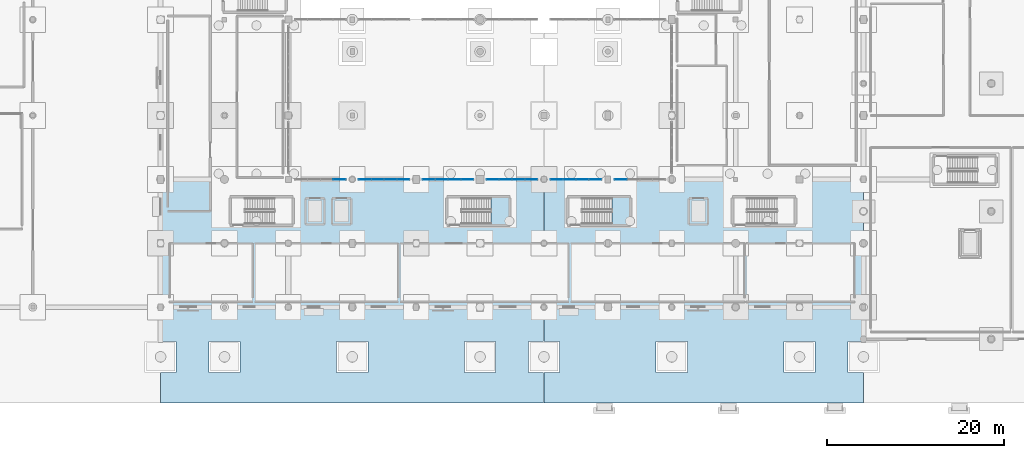
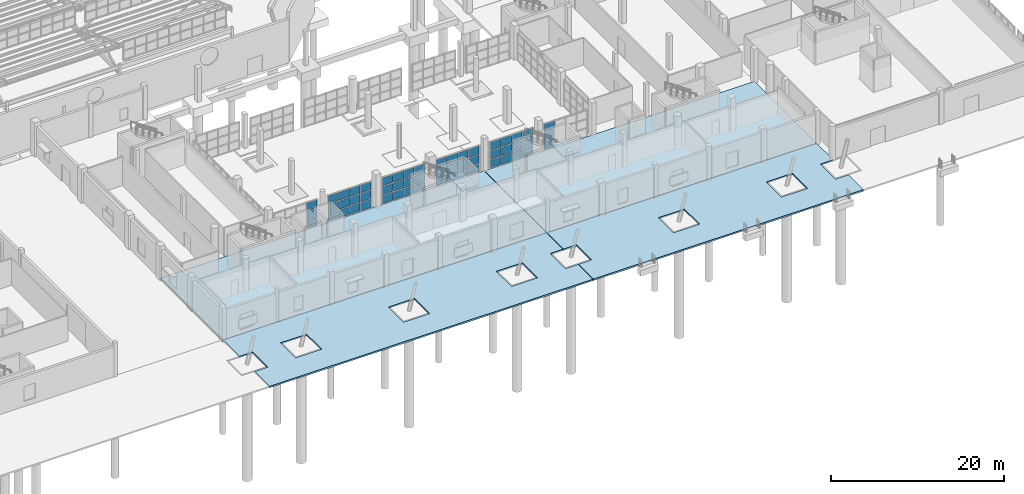
# One storey, part 181 of 285: 54 plates, 6 slabs, 8 elements without a shape of their own.
"""IFC4 building model written with IfcOpenShell, lengths in metres."""

from ifc_helpers import new_model, si_unit, direction, frame, origin, origin_2d, place, context, subcontext, project, spatial, polyline, rectangle, outline, extrude, material, layer, layer_set, type_object, element, aggregate, save


model = new_model("IFC4")

# Units and contexts
model_context = context("Model", 3, precision=1e-05, world=origin(), true_north=direction((0.0, 1.0)))
body_context = subcontext(model_context, "Body", "Model", "MODEL_VIEW")
ifc_project = project(units=[si_unit("LENGTHUNIT", "METRE"), si_unit("AREAUNIT", "SQUARE_METRE"), si_unit("VOLUMEUNIT", "CUBIC_METRE"), si_unit("PLANEANGLEUNIT", "RADIAN"), si_unit("MASSUNIT", "GRAM", prefix="KILO")], contexts=[model_context])

# Site, building, storey
site_placement = place(None, origin())
site = spatial("IfcSite", under=ifc_project, at=site_placement, CompositionType="ELEMENT")
building_placement = place(site_placement, origin())
building = spatial("IfcBuilding", under=site, at=building_placement, Name="Solanera Park Tramway Depot", CompositionType="ELEMENT")
storey_placement = place(building_placement, origin())
storey = spatial("IfcBuildingStorey", under=building, at=storey_placement, Name="L00", CompositionType="ELEMENT", Elevation=0.0)

# Curtain wall, plates
ifc_material_1 = material(Name="Bronze-anodised thermally broken aluminium curtain wall", Category="aluminium")
curtain_wall_type = type_object("IfcCurtainWallType", Name="Courtyard Cloister Unitised Curtain Wall", PredefinedType="NOTDEFINED", material=ifc_material_1)
curtain_wall_1_placement = place(storey_placement, origin())
curtain_wall_1 = element("IfcCurtainWall", 1, at=curtain_wall_1_placement, inside=storey, type_object=curtain_wall_type, Name="L00 Courtyard Cloister Unitised Curtain Wall #072", PredefinedType="NOTDEFINED")
ifc_material_2 = material(Name="Low-E laminated solar-control double glazing", Category="glass")
ifc_layer_1 = layer(ifc_material_2, 0.028076171875)
ifc_layer_set_1 = layer_set([ifc_layer_1], Name="Low-E laminated solar-control double glazing")
plate_type = type_object("IfcPlateType", Name="Curtain Wall Double Glazing Panel 28", PredefinedType="CURTAIN_PANEL", material=ifc_layer_set_1)
plate_1_placement = place(storey_placement, frame((128.15869140625, 25.199951171875, 0.11181640625), z_axis=(0.0, 0.0, 1.0), x_axis=(1.0, 0.0, 0.0)))
plate_1 = element("IfcPlate", 2, at=plate_1_placement, type_object=plate_type, Name="CW-L00-072 Glazing Panel R1.C4", PredefinedType="CURTAIN_PANEL", context=body_context, shape_type="SweptSolid", body=[
    extrude(rectangle(XDim=1.365478515625, YDim=0.028076171875, at=origin_2d()), origin(), (0.0, 0.0, 1.0), 1.119384765625),
])
plate_2_placement = place(storey_placement, frame((128.15869140625, 25.199951171875, 1.33544921875), z_axis=(0.0, 0.0, 1.0), x_axis=(1.0, 0.0, 0.0)))
plate_2 = element("IfcPlate", 3, at=plate_2_placement, type_object=plate_type, Name="CW-L00-072 Glazing Panel R2.C4", PredefinedType="CURTAIN_PANEL", context=body_context, shape_type="SweptSolid", body=[
    extrude(rectangle(XDim=1.365478515625, YDim=0.028076171875, at=origin_2d()), origin(), (0.0, 0.0, 1.0), 1.179443359375),
])
plate_3_placement = place(storey_placement, frame((128.15869140625, 25.199951171875, 2.61865234375), z_axis=(0.0, 0.0, 1.0), x_axis=(1.0, 0.0, 0.0)))
plate_3 = element("IfcPlate", 4, at=plate_3_placement, type_object=plate_type, Name="CW-L00-072 Glazing Panel R3.C4", PredefinedType="CURTAIN_PANEL", context=body_context, shape_type="SweptSolid", body=[
    extrude(rectangle(XDim=1.365478515625, YDim=0.028076171875, at=origin_2d()), origin(), (0.0, 0.0, 1.0), 1.119384765625),
])
aggregate(curtain_wall_1, [plate_1, plate_2, plate_3])

curtain_wall_2_placement = place(storey_placement, origin())
curtain_wall_2 = element("IfcCurtainWall", 5, at=curtain_wall_2_placement, inside=storey, type_object=curtain_wall_type, Name="L00 Courtyard Cloister Unitised Curtain Wall #073", PredefinedType="NOTDEFINED")
plate_4_placement = place(storey_placement, frame((131.041259765625, 25.199951171875, 0.11181640625), z_axis=(0.0, 0.0, 1.0), x_axis=(1.0, 0.0, 0.0)))
plate_4 = element("IfcPlate", 6, at=plate_4_placement, type_object=plate_type, Name="CW-L00-073 Glazing Panel R1.C1", PredefinedType="CURTAIN_PANEL", context=body_context, shape_type="SweptSolid", body=[
    extrude(rectangle(XDim=1.365478515625, YDim=0.028076171875, at=origin_2d()), origin(), (0.0, 0.0, 1.0), 1.119384765625),
])
plate_5_placement = place(storey_placement, frame((132.47509765625, 25.199951171875, 0.11181640625), z_axis=(0.0, 0.0, 1.0), x_axis=(1.0, 0.0, 0.0)))
plate_5 = element("IfcPlate", 7, at=plate_5_placement, type_object=plate_type, Name="CW-L00-073 Glazing Panel R1.C2", PredefinedType="CURTAIN_PANEL", context=body_context, shape_type="SweptSolid", body=[
    extrude(rectangle(XDim=1.39794921875, YDim=0.028076171875, at=origin_2d()), origin(), (0.0, 0.0, 1.0), 1.119384765625),
])
plate_6_placement = place(storey_placement, frame((133.925048828125, 25.199951171875, 0.11181640625), z_axis=(0.0, 0.0, 1.0), x_axis=(1.0, 0.0, 0.0)))
plate_6 = element("IfcPlate", 8, at=plate_6_placement, type_object=plate_type, Name="CW-L00-073 Glazing Panel R1.C3", PredefinedType="CURTAIN_PANEL", context=body_context, shape_type="SweptSolid", body=[
    extrude(rectangle(XDim=1.39794921875, YDim=0.028076171875, at=origin_2d()), origin(), (0.0, 0.0, 1.0), 1.119384765625),
])
plate_7_placement = place(storey_placement, frame((135.358642578125, 25.199951171875, 0.11181640625), z_axis=(0.0, 0.0, 1.0), x_axis=(1.0, 0.0, 0.0)))
plate_7 = element("IfcPlate", 9, at=plate_7_placement, type_object=plate_type, Name="CW-L00-073 Glazing Panel R1.C4", PredefinedType="CURTAIN_PANEL", context=body_context, shape_type="SweptSolid", body=[
    extrude(rectangle(XDim=1.365478515625, YDim=0.028076171875, at=origin_2d()), origin(), (0.0, 0.0, 1.0), 1.119384765625),
])
plate_8_placement = place(storey_placement, frame((131.041259765625, 25.199951171875, 1.33544921875), z_axis=(0.0, 0.0, 1.0), x_axis=(1.0, 0.0, 0.0)))
plate_8 = element("IfcPlate", 10, at=plate_8_placement, type_object=plate_type, Name="CW-L00-073 Glazing Panel R2.C1", PredefinedType="CURTAIN_PANEL", context=body_context, shape_type="SweptSolid", body=[
    extrude(rectangle(XDim=1.365478515625, YDim=0.028076171875, at=origin_2d()), origin(), (0.0, 0.0, 1.0), 1.179443359375),
])
plate_9_placement = place(storey_placement, frame((132.47509765625, 25.199951171875, 1.33544921875), z_axis=(0.0, 0.0, 1.0), x_axis=(1.0, 0.0, 0.0)))
plate_9 = element("IfcPlate", 11, at=plate_9_placement, type_object=plate_type, Name="CW-L00-073 Glazing Panel R2.C2", PredefinedType="CURTAIN_PANEL", context=body_context, shape_type="SweptSolid", body=[
    extrude(rectangle(XDim=1.39794921875, YDim=0.028076171875, at=origin_2d()), origin(), (0.0, 0.0, 1.0), 1.179443359375),
])
plate_10_placement = place(storey_placement, frame((133.925048828125, 25.199951171875, 1.33544921875), z_axis=(0.0, 0.0, 1.0), x_axis=(1.0, 0.0, 0.0)))
plate_10 = element("IfcPlate", 12, at=plate_10_placement, type_object=plate_type, Name="CW-L00-073 Glazing Panel R2.C3", PredefinedType="CURTAIN_PANEL", context=body_context, shape_type="SweptSolid", body=[
    extrude(rectangle(XDim=1.39794921875, YDim=0.028076171875, at=origin_2d()), origin(), (0.0, 0.0, 1.0), 1.179443359375),
])
plate_11_placement = place(storey_placement, frame((135.358642578125, 25.199951171875, 1.33544921875), z_axis=(0.0, 0.0, 1.0), x_axis=(1.0, 0.0, 0.0)))
plate_11 = element("IfcPlate", 13, at=plate_11_placement, type_object=plate_type, Name="CW-L00-073 Glazing Panel R2.C4", PredefinedType="CURTAIN_PANEL", context=body_context, shape_type="SweptSolid", body=[
    extrude(rectangle(XDim=1.365478515625, YDim=0.028076171875, at=origin_2d()), origin(), (0.0, 0.0, 1.0), 1.179443359375),
])
plate_12_placement = place(storey_placement, frame((131.041259765625, 25.199951171875, 2.61865234375), z_axis=(0.0, 0.0, 1.0), x_axis=(1.0, 0.0, 0.0)))
plate_12 = element("IfcPlate", 14, at=plate_12_placement, type_object=plate_type, Name="CW-L00-073 Glazing Panel R3.C1", PredefinedType="CURTAIN_PANEL", context=body_context, shape_type="SweptSolid", body=[
    extrude(rectangle(XDim=1.365478515625, YDim=0.028076171875, at=origin_2d()), origin(), (0.0, 0.0, 1.0), 1.119384765625),
])
plate_13_placement = place(storey_placement, frame((132.47509765625, 25.199951171875, 2.61865234375), z_axis=(0.0, 0.0, 1.0), x_axis=(1.0, 0.0, 0.0)))
plate_13 = element("IfcPlate", 15, at=plate_13_placement, type_object=plate_type, Name="CW-L00-073 Glazing Panel R3.C2", PredefinedType="CURTAIN_PANEL", context=body_context, shape_type="SweptSolid", body=[
    extrude(rectangle(XDim=1.39794921875, YDim=0.028076171875, at=origin_2d()), origin(), (0.0, 0.0, 1.0), 1.119384765625),
])
plate_14_placement = place(storey_placement, frame((133.925048828125, 25.199951171875, 2.61865234375), z_axis=(0.0, 0.0, 1.0), x_axis=(1.0, 0.0, 0.0)))
plate_14 = element("IfcPlate", 16, at=plate_14_placement, type_object=plate_type, Name="CW-L00-073 Glazing Panel R3.C3", PredefinedType="CURTAIN_PANEL", context=body_context, shape_type="SweptSolid", body=[
    extrude(rectangle(XDim=1.39794921875, YDim=0.028076171875, at=origin_2d()), origin(), (0.0, 0.0, 1.0), 1.119384765625),
])
plate_15_placement = place(storey_placement, frame((135.358642578125, 25.199951171875, 2.61865234375), z_axis=(0.0, 0.0, 1.0), x_axis=(1.0, 0.0, 0.0)))
plate_15 = element("IfcPlate", 17, at=plate_15_placement, type_object=plate_type, Name="CW-L00-073 Glazing Panel R3.C4", PredefinedType="CURTAIN_PANEL", context=body_context, shape_type="SweptSolid", body=[
    extrude(rectangle(XDim=1.365478515625, YDim=0.028076171875, at=origin_2d()), origin(), (0.0, 0.0, 1.0), 1.119384765625),
])
aggregate(curtain_wall_2, [plate_4, plate_5, plate_6, plate_7, plate_8, plate_9, plate_10, plate_11, plate_12, plate_13, plate_14, plate_15])

curtain_wall_3_placement = place(storey_placement, origin())
curtain_wall_3 = element("IfcCurtainWall", 18, at=curtain_wall_3_placement, inside=storey, type_object=curtain_wall_type, Name="L00 Courtyard Cloister Unitised Curtain Wall #074", PredefinedType="NOTDEFINED")
plate_16_placement = place(storey_placement, frame((138.2412109375, 25.199951171875, 0.11181640625), z_axis=(0.0, 0.0, 1.0), x_axis=(1.0, 0.0, 0.0)))
plate_16 = element("IfcPlate", 19, at=plate_16_placement, type_object=plate_type, Name="CW-L00-074 Glazing Panel R1.C1", PredefinedType="CURTAIN_PANEL", context=body_context, shape_type="SweptSolid", body=[
    extrude(rectangle(XDim=1.365478515625, YDim=0.028076171875, at=origin_2d()), origin(), (0.0, 0.0, 1.0), 1.119384765625),
])
plate_17_placement = place(storey_placement, frame((139.675048828125, 25.199951171875, 0.11181640625), z_axis=(0.0, 0.0, 1.0), x_axis=(1.0, 0.0, 0.0)))
plate_17 = element("IfcPlate", 20, at=plate_17_placement, type_object=plate_type, Name="CW-L00-074 Glazing Panel R1.C2", PredefinedType="CURTAIN_PANEL", context=body_context, shape_type="SweptSolid", body=[
    extrude(rectangle(XDim=1.39794921875, YDim=0.028076171875, at=origin_2d()), origin(), (0.0, 0.0, 1.0), 1.119384765625),
])
plate_18_placement = place(storey_placement, frame((141.125, 25.199951171875, 0.11181640625), z_axis=(0.0, 0.0, 1.0), x_axis=(1.0, 0.0, 0.0)))
plate_18 = element("IfcPlate", 21, at=plate_18_placement, type_object=plate_type, Name="CW-L00-074 Glazing Panel R1.C3", PredefinedType="CURTAIN_PANEL", context=body_context, shape_type="SweptSolid", body=[
    extrude(rectangle(XDim=1.39794921875, YDim=0.028076171875, at=origin_2d()), origin(), (0.0, 0.0, 1.0), 1.119384765625),
])
plate_19_placement = place(storey_placement, frame((142.558837890625, 25.199951171875, 0.11181640625), z_axis=(0.0, 0.0, 1.0), x_axis=(1.0, 0.0, 0.0)))
plate_19 = element("IfcPlate", 22, at=plate_19_placement, type_object=plate_type, Name="CW-L00-074 Glazing Panel R1.C4", PredefinedType="CURTAIN_PANEL", context=body_context, shape_type="SweptSolid", body=[
    extrude(rectangle(XDim=1.365478515625, YDim=0.028076171875, at=origin_2d()), origin(), (0.0, 0.0, 1.0), 1.119384765625),
])
plate_20_placement = place(storey_placement, frame((138.2412109375, 25.199951171875, 1.33544921875), z_axis=(0.0, 0.0, 1.0), x_axis=(1.0, 0.0, 0.0)))
plate_20 = element("IfcPlate", 23, at=plate_20_placement, type_object=plate_type, Name="CW-L00-074 Glazing Panel R2.C1", PredefinedType="CURTAIN_PANEL", context=body_context, shape_type="SweptSolid", body=[
    extrude(rectangle(XDim=1.365478515625, YDim=0.028076171875, at=origin_2d()), origin(), (0.0, 0.0, 1.0), 1.179443359375),
])
plate_21_placement = place(storey_placement, frame((139.675048828125, 25.199951171875, 1.33544921875), z_axis=(0.0, 0.0, 1.0), x_axis=(1.0, 0.0, 0.0)))
plate_21 = element("IfcPlate", 24, at=plate_21_placement, type_object=plate_type, Name="CW-L00-074 Glazing Panel R2.C2", PredefinedType="CURTAIN_PANEL", context=body_context, shape_type="SweptSolid", body=[
    extrude(rectangle(XDim=1.39794921875, YDim=0.028076171875, at=origin_2d()), origin(), (0.0, 0.0, 1.0), 1.179443359375),
])
plate_22_placement = place(storey_placement, frame((141.125, 25.199951171875, 1.33544921875), z_axis=(0.0, 0.0, 1.0), x_axis=(1.0, 0.0, 0.0)))
plate_22 = element("IfcPlate", 25, at=plate_22_placement, type_object=plate_type, Name="CW-L00-074 Glazing Panel R2.C3", PredefinedType="CURTAIN_PANEL", context=body_context, shape_type="SweptSolid", body=[
    extrude(rectangle(XDim=1.39794921875, YDim=0.028076171875, at=origin_2d()), origin(), (0.0, 0.0, 1.0), 1.179443359375),
])
plate_23_placement = place(storey_placement, frame((142.558837890625, 25.199951171875, 1.33544921875), z_axis=(0.0, 0.0, 1.0), x_axis=(1.0, 0.0, 0.0)))
plate_23 = element("IfcPlate", 26, at=plate_23_placement, type_object=plate_type, Name="CW-L00-074 Glazing Panel R2.C4", PredefinedType="CURTAIN_PANEL", context=body_context, shape_type="SweptSolid", body=[
    extrude(rectangle(XDim=1.365478515625, YDim=0.028076171875, at=origin_2d()), origin(), (0.0, 0.0, 1.0), 1.179443359375),
])
plate_24_placement = place(storey_placement, frame((138.2412109375, 25.199951171875, 2.61865234375), z_axis=(0.0, 0.0, 1.0), x_axis=(1.0, 0.0, 0.0)))
plate_24 = element("IfcPlate", 27, at=plate_24_placement, type_object=plate_type, Name="CW-L00-074 Glazing Panel R3.C1", PredefinedType="CURTAIN_PANEL", context=body_context, shape_type="SweptSolid", body=[
    extrude(rectangle(XDim=1.365478515625, YDim=0.028076171875, at=origin_2d()), origin(), (0.0, 0.0, 1.0), 1.119384765625),
])
plate_25_placement = place(storey_placement, frame((139.675048828125, 25.199951171875, 2.61865234375), z_axis=(0.0, 0.0, 1.0), x_axis=(1.0, 0.0, 0.0)))
plate_25 = element("IfcPlate", 28, at=plate_25_placement, type_object=plate_type, Name="CW-L00-074 Glazing Panel R3.C2", PredefinedType="CURTAIN_PANEL", context=body_context, shape_type="SweptSolid", body=[
    extrude(rectangle(XDim=1.39794921875, YDim=0.028076171875, at=origin_2d()), origin(), (0.0, 0.0, 1.0), 1.119384765625),
])
plate_26_placement = place(storey_placement, frame((141.125, 25.199951171875, 2.61865234375), z_axis=(0.0, 0.0, 1.0), x_axis=(1.0, 0.0, 0.0)))
plate_26 = element("IfcPlate", 29, at=plate_26_placement, type_object=plate_type, Name="CW-L00-074 Glazing Panel R3.C3", PredefinedType="CURTAIN_PANEL", context=body_context, shape_type="SweptSolid", body=[
    extrude(rectangle(XDim=1.39794921875, YDim=0.028076171875, at=origin_2d()), origin(), (0.0, 0.0, 1.0), 1.119384765625),
])
plate_27_placement = place(storey_placement, frame((142.558837890625, 25.199951171875, 2.61865234375), z_axis=(0.0, 0.0, 1.0), x_axis=(1.0, 0.0, 0.0)))
plate_27 = element("IfcPlate", 30, at=plate_27_placement, type_object=plate_type, Name="CW-L00-074 Glazing Panel R3.C4", PredefinedType="CURTAIN_PANEL", context=body_context, shape_type="SweptSolid", body=[
    extrude(rectangle(XDim=1.365478515625, YDim=0.028076171875, at=origin_2d()), origin(), (0.0, 0.0, 1.0), 1.119384765625),
])
aggregate(curtain_wall_3, [plate_16, plate_17, plate_18, plate_19, plate_20, plate_21, plate_22, plate_23, plate_24, plate_25, plate_26, plate_27])

curtain_wall_4_placement = place(storey_placement, origin())
curtain_wall_4 = element("IfcCurtainWall", 31, at=curtain_wall_4_placement, inside=storey, type_object=curtain_wall_type, Name="L00 Courtyard Cloister Unitised Curtain Wall #075", PredefinedType="NOTDEFINED")
plate_28_placement = place(storey_placement, frame((145.441162109375, 25.199951171875, 0.11181640625), z_axis=(0.0, 0.0, 1.0), x_axis=(1.0, 0.0, 0.0)))
plate_28 = element("IfcPlate", 32, at=plate_28_placement, type_object=plate_type, Name="CW-L00-075 Glazing Panel R1.C1", PredefinedType="CURTAIN_PANEL", context=body_context, shape_type="SweptSolid", body=[
    extrude(rectangle(XDim=1.365478515625, YDim=0.028076171875, at=origin_2d()), origin(), (0.0, 0.0, 1.0), 1.119384765625),
])
plate_29_placement = place(storey_placement, frame((146.875, 25.199951171875, 0.11181640625), z_axis=(0.0, 0.0, 1.0), x_axis=(1.0, 0.0, 0.0)))
plate_29 = element("IfcPlate", 33, at=plate_29_placement, type_object=plate_type, Name="CW-L00-075 Glazing Panel R1.C2", PredefinedType="CURTAIN_PANEL", context=body_context, shape_type="SweptSolid", body=[
    extrude(rectangle(XDim=1.39794921875, YDim=0.028076171875, at=origin_2d()), origin(), (0.0, 0.0, 1.0), 1.119384765625),
])
plate_30_placement = place(storey_placement, frame((148.324951171875, 25.199951171875, 0.11181640625), z_axis=(0.0, 0.0, 1.0), x_axis=(1.0, 0.0, 0.0)))
plate_30 = element("IfcPlate", 34, at=plate_30_placement, type_object=plate_type, Name="CW-L00-075 Glazing Panel R1.C3", PredefinedType="CURTAIN_PANEL", context=body_context, shape_type="SweptSolid", body=[
    extrude(rectangle(XDim=1.39794921875, YDim=0.028076171875, at=origin_2d()), origin(), (0.0, 0.0, 1.0), 1.119384765625),
])
plate_31_placement = place(storey_placement, frame((149.7587890625, 25.199951171875, 0.11181640625), z_axis=(0.0, 0.0, 1.0), x_axis=(1.0, 0.0, 0.0)))
plate_31 = element("IfcPlate", 35, at=plate_31_placement, type_object=plate_type, Name="CW-L00-075 Glazing Panel R1.C4", PredefinedType="CURTAIN_PANEL", context=body_context, shape_type="SweptSolid", body=[
    extrude(rectangle(XDim=1.365478515625, YDim=0.028076171875, at=origin_2d()), origin(), (0.0, 0.0, 1.0), 1.119384765625),
])
plate_32_placement = place(storey_placement, frame((145.441162109375, 25.199951171875, 1.33544921875), z_axis=(0.0, 0.0, 1.0), x_axis=(1.0, 0.0, 0.0)))
plate_32 = element("IfcPlate", 36, at=plate_32_placement, type_object=plate_type, Name="CW-L00-075 Glazing Panel R2.C1", PredefinedType="CURTAIN_PANEL", context=body_context, shape_type="SweptSolid", body=[
    extrude(rectangle(XDim=1.365478515625, YDim=0.028076171875, at=origin_2d()), origin(), (0.0, 0.0, 1.0), 1.179443359375),
])
plate_33_placement = place(storey_placement, frame((146.875, 25.199951171875, 1.33544921875), z_axis=(0.0, 0.0, 1.0), x_axis=(1.0, 0.0, 0.0)))
plate_33 = element("IfcPlate", 37, at=plate_33_placement, type_object=plate_type, Name="CW-L00-075 Glazing Panel R2.C2", PredefinedType="CURTAIN_PANEL", context=body_context, shape_type="SweptSolid", body=[
    extrude(rectangle(XDim=1.39794921875, YDim=0.028076171875, at=origin_2d()), origin(), (0.0, 0.0, 1.0), 1.179443359375),
])
plate_34_placement = place(storey_placement, frame((148.324951171875, 25.199951171875, 1.33544921875), z_axis=(0.0, 0.0, 1.0), x_axis=(1.0, 0.0, 0.0)))
plate_34 = element("IfcPlate", 38, at=plate_34_placement, type_object=plate_type, Name="CW-L00-075 Glazing Panel R2.C3", PredefinedType="CURTAIN_PANEL", context=body_context, shape_type="SweptSolid", body=[
    extrude(rectangle(XDim=1.39794921875, YDim=0.028076171875, at=origin_2d()), origin(), (0.0, 0.0, 1.0), 1.179443359375),
])
plate_35_placement = place(storey_placement, frame((149.7587890625, 25.199951171875, 1.33544921875), z_axis=(0.0, 0.0, 1.0), x_axis=(1.0, 0.0, 0.0)))
plate_35 = element("IfcPlate", 39, at=plate_35_placement, type_object=plate_type, Name="CW-L00-075 Glazing Panel R2.C4", PredefinedType="CURTAIN_PANEL", context=body_context, shape_type="SweptSolid", body=[
    extrude(rectangle(XDim=1.365478515625, YDim=0.028076171875, at=origin_2d()), origin(), (0.0, 0.0, 1.0), 1.179443359375),
])
plate_36_placement = place(storey_placement, frame((145.441162109375, 25.199951171875, 2.61865234375), z_axis=(0.0, 0.0, 1.0), x_axis=(1.0, 0.0, 0.0)))
plate_36 = element("IfcPlate", 40, at=plate_36_placement, type_object=plate_type, Name="CW-L00-075 Glazing Panel R3.C1", PredefinedType="CURTAIN_PANEL", context=body_context, shape_type="SweptSolid", body=[
    extrude(rectangle(XDim=1.365478515625, YDim=0.028076171875, at=origin_2d()), origin(), (0.0, 0.0, 1.0), 1.119384765625),
])
plate_37_placement = place(storey_placement, frame((146.875, 25.199951171875, 2.61865234375), z_axis=(0.0, 0.0, 1.0), x_axis=(1.0, 0.0, 0.0)))
plate_37 = element("IfcPlate", 41, at=plate_37_placement, type_object=plate_type, Name="CW-L00-075 Glazing Panel R3.C2", PredefinedType="CURTAIN_PANEL", context=body_context, shape_type="SweptSolid", body=[
    extrude(rectangle(XDim=1.39794921875, YDim=0.028076171875, at=origin_2d()), origin(), (0.0, 0.0, 1.0), 1.119384765625),
])
plate_38_placement = place(storey_placement, frame((148.324951171875, 25.199951171875, 2.61865234375), z_axis=(0.0, 0.0, 1.0), x_axis=(1.0, 0.0, 0.0)))
plate_38 = element("IfcPlate", 42, at=plate_38_placement, type_object=plate_type, Name="CW-L00-075 Glazing Panel R3.C3", PredefinedType="CURTAIN_PANEL", context=body_context, shape_type="SweptSolid", body=[
    extrude(rectangle(XDim=1.39794921875, YDim=0.028076171875, at=origin_2d()), origin(), (0.0, 0.0, 1.0), 1.119384765625),
])
plate_39_placement = place(storey_placement, frame((149.7587890625, 25.199951171875, 2.61865234375), z_axis=(0.0, 0.0, 1.0), x_axis=(1.0, 0.0, 0.0)))
plate_39 = element("IfcPlate", 43, at=plate_39_placement, type_object=plate_type, Name="CW-L00-075 Glazing Panel R3.C4", PredefinedType="CURTAIN_PANEL", context=body_context, shape_type="SweptSolid", body=[
    extrude(rectangle(XDim=1.365478515625, YDim=0.028076171875, at=origin_2d()), origin(), (0.0, 0.0, 1.0), 1.119384765625),
])
aggregate(curtain_wall_4, [plate_28, plate_29, plate_30, plate_31, plate_32, plate_33, plate_34, plate_35, plate_36, plate_37, plate_38, plate_39])

curtain_wall_5_placement = place(storey_placement, origin())
curtain_wall_5 = element("IfcCurtainWall", 44, at=curtain_wall_5_placement, inside=storey, type_object=curtain_wall_type, Name="L00 Courtyard Cloister Unitised Curtain Wall #076", PredefinedType="NOTDEFINED")
plate_40_placement = place(storey_placement, frame((152.641357421875, 25.199951171875, 0.11181640625), z_axis=(0.0, 0.0, 1.0), x_axis=(1.0, 0.0, 0.0)))
plate_40 = element("IfcPlate", 45, at=plate_40_placement, type_object=plate_type, Name="CW-L00-076 Glazing Panel R1.C1", PredefinedType="CURTAIN_PANEL", context=body_context, shape_type="SweptSolid", body=[
    extrude(rectangle(XDim=1.365478515625, YDim=0.028076171875, at=origin_2d()), origin(), (0.0, 0.0, 1.0), 1.119384765625),
])
plate_41_placement = place(storey_placement, frame((154.074951171875, 25.199951171875, 0.11181640625), z_axis=(0.0, 0.0, 1.0), x_axis=(1.0, 0.0, 0.0)))
plate_41 = element("IfcPlate", 46, at=plate_41_placement, type_object=plate_type, Name="CW-L00-076 Glazing Panel R1.C2", PredefinedType="CURTAIN_PANEL", context=body_context, shape_type="SweptSolid", body=[
    extrude(rectangle(XDim=1.39794921875, YDim=0.028076171875, at=origin_2d()), origin(), (0.0, 0.0, 1.0), 1.119384765625),
])
plate_42_placement = place(storey_placement, frame((155.52490234375, 25.199951171875, 0.11181640625), z_axis=(0.0, 0.0, 1.0), x_axis=(1.0, 0.0, 0.0)))
plate_42 = element("IfcPlate", 47, at=plate_42_placement, type_object=plate_type, Name="CW-L00-076 Glazing Panel R1.C3", PredefinedType="CURTAIN_PANEL", context=body_context, shape_type="SweptSolid", body=[
    extrude(rectangle(XDim=1.39794921875, YDim=0.028076171875, at=origin_2d()), origin(), (0.0, 0.0, 1.0), 1.119384765625),
])
plate_43_placement = place(storey_placement, frame((156.958740234375, 25.199951171875, 0.11181640625), z_axis=(0.0, 0.0, 1.0), x_axis=(1.0, 0.0, 0.0)))
plate_43 = element("IfcPlate", 48, at=plate_43_placement, type_object=plate_type, Name="CW-L00-076 Glazing Panel R1.C4", PredefinedType="CURTAIN_PANEL", context=body_context, shape_type="SweptSolid", body=[
    extrude(rectangle(XDim=1.365478515625, YDim=0.028076171875, at=origin_2d()), origin(), (0.0, 0.0, 1.0), 1.119384765625),
])
plate_44_placement = place(storey_placement, frame((152.641357421875, 25.199951171875, 1.33544921875), z_axis=(0.0, 0.0, 1.0), x_axis=(1.0, 0.0, 0.0)))
plate_44 = element("IfcPlate", 49, at=plate_44_placement, type_object=plate_type, Name="CW-L00-076 Glazing Panel R2.C1", PredefinedType="CURTAIN_PANEL", context=body_context, shape_type="SweptSolid", body=[
    extrude(rectangle(XDim=1.365478515625, YDim=0.028076171875, at=origin_2d()), origin(), (0.0, 0.0, 1.0), 1.179443359375),
])
plate_45_placement = place(storey_placement, frame((154.074951171875, 25.199951171875, 1.33544921875), z_axis=(0.0, 0.0, 1.0), x_axis=(1.0, 0.0, 0.0)))
plate_45 = element("IfcPlate", 50, at=plate_45_placement, type_object=plate_type, Name="CW-L00-076 Glazing Panel R2.C2", PredefinedType="CURTAIN_PANEL", context=body_context, shape_type="SweptSolid", body=[
    extrude(rectangle(XDim=1.39794921875, YDim=0.028076171875, at=origin_2d()), origin(), (0.0, 0.0, 1.0), 1.179443359375),
])
plate_46_placement = place(storey_placement, frame((155.52490234375, 25.199951171875, 1.33544921875), z_axis=(0.0, 0.0, 1.0), x_axis=(1.0, 0.0, 0.0)))
plate_46 = element("IfcPlate", 51, at=plate_46_placement, type_object=plate_type, Name="CW-L00-076 Glazing Panel R2.C3", PredefinedType="CURTAIN_PANEL", context=body_context, shape_type="SweptSolid", body=[
    extrude(rectangle(XDim=1.39794921875, YDim=0.028076171875, at=origin_2d()), origin(), (0.0, 0.0, 1.0), 1.179443359375),
])
plate_47_placement = place(storey_placement, frame((156.958740234375, 25.199951171875, 1.33544921875), z_axis=(0.0, 0.0, 1.0), x_axis=(1.0, 0.0, 0.0)))
plate_47 = element("IfcPlate", 52, at=plate_47_placement, type_object=plate_type, Name="CW-L00-076 Glazing Panel R2.C4", PredefinedType="CURTAIN_PANEL", context=body_context, shape_type="SweptSolid", body=[
    extrude(rectangle(XDim=1.365478515625, YDim=0.028076171875, at=origin_2d()), origin(), (0.0, 0.0, 1.0), 1.179443359375),
])
plate_48_placement = place(storey_placement, frame((152.641357421875, 25.199951171875, 2.61865234375), z_axis=(0.0, 0.0, 1.0), x_axis=(1.0, 0.0, 0.0)))
plate_48 = element("IfcPlate", 53, at=plate_48_placement, type_object=plate_type, Name="CW-L00-076 Glazing Panel R3.C1", PredefinedType="CURTAIN_PANEL", context=body_context, shape_type="SweptSolid", body=[
    extrude(rectangle(XDim=1.365478515625, YDim=0.028076171875, at=origin_2d()), origin(), (0.0, 0.0, 1.0), 1.119384765625),
])
plate_49_placement = place(storey_placement, frame((154.074951171875, 25.199951171875, 2.61865234375), z_axis=(0.0, 0.0, 1.0), x_axis=(1.0, 0.0, 0.0)))
plate_49 = element("IfcPlate", 54, at=plate_49_placement, type_object=plate_type, Name="CW-L00-076 Glazing Panel R3.C2", PredefinedType="CURTAIN_PANEL", context=body_context, shape_type="SweptSolid", body=[
    extrude(rectangle(XDim=1.39794921875, YDim=0.028076171875, at=origin_2d()), origin(), (0.0, 0.0, 1.0), 1.119384765625),
])
plate_50_placement = place(storey_placement, frame((155.52490234375, 25.199951171875, 2.61865234375), z_axis=(0.0, 0.0, 1.0), x_axis=(1.0, 0.0, 0.0)))
plate_50 = element("IfcPlate", 55, at=plate_50_placement, type_object=plate_type, Name="CW-L00-076 Glazing Panel R3.C3", PredefinedType="CURTAIN_PANEL", context=body_context, shape_type="SweptSolid", body=[
    extrude(rectangle(XDim=1.39794921875, YDim=0.028076171875, at=origin_2d()), origin(), (0.0, 0.0, 1.0), 1.119384765625),
])
plate_51_placement = place(storey_placement, frame((156.958740234375, 25.199951171875, 2.61865234375), z_axis=(0.0, 0.0, 1.0), x_axis=(1.0, 0.0, 0.0)))
plate_51 = element("IfcPlate", 56, at=plate_51_placement, type_object=plate_type, Name="CW-L00-076 Glazing Panel R3.C4", PredefinedType="CURTAIN_PANEL", context=body_context, shape_type="SweptSolid", body=[
    extrude(rectangle(XDim=1.365478515625, YDim=0.028076171875, at=origin_2d()), origin(), (0.0, 0.0, 1.0), 1.119384765625),
])
aggregate(curtain_wall_5, [plate_40, plate_41, plate_42, plate_43, plate_44, plate_45, plate_46, plate_47, plate_48, plate_49, plate_50, plate_51])

curtain_wall_6_placement = place(storey_placement, origin())
curtain_wall_6 = element("IfcCurtainWall", 57, at=curtain_wall_6_placement, inside=storey, type_object=curtain_wall_type, Name="L00 Courtyard Cloister Unitised Curtain Wall #077", PredefinedType="NOTDEFINED")
plate_52_placement = place(storey_placement, frame((159.84130859375, 25.199951171875, 0.11181640625), z_axis=(0.0, 0.0, 1.0), x_axis=(1.0, 0.0, 0.0)))
plate_52 = element("IfcPlate", 58, at=plate_52_placement, type_object=plate_type, Name="CW-L00-077 Glazing Panel R1.C1", PredefinedType="CURTAIN_PANEL", context=body_context, shape_type="SweptSolid", body=[
    extrude(rectangle(XDim=1.365478515625, YDim=0.028076171875, at=origin_2d()), origin(), (0.0, 0.0, 1.0), 1.119384765625),
])
plate_53_placement = place(storey_placement, frame((159.84130859375, 25.199951171875, 1.33544921875), z_axis=(0.0, 0.0, 1.0), x_axis=(1.0, 0.0, 0.0)))
plate_53 = element("IfcPlate", 59, at=plate_53_placement, type_object=plate_type, Name="CW-L00-077 Glazing Panel R2.C1", PredefinedType="CURTAIN_PANEL", context=body_context, shape_type="SweptSolid", body=[
    extrude(rectangle(XDim=1.365478515625, YDim=0.028076171875, at=origin_2d()), origin(), (0.0, 0.0, 1.0), 1.179443359375),
])
plate_54_placement = place(storey_placement, frame((159.84130859375, 25.199951171875, 2.61865234375), z_axis=(0.0, 0.0, 1.0), x_axis=(1.0, 0.0, 0.0)))
plate_54 = element("IfcPlate", 60, at=plate_54_placement, type_object=plate_type, Name="CW-L00-077 Glazing Panel R3.C1", PredefinedType="CURTAIN_PANEL", context=body_context, shape_type="SweptSolid", body=[
    extrude(rectangle(XDim=1.365478515625, YDim=0.028076171875, at=origin_2d()), origin(), (0.0, 0.0, 1.0), 1.119384765625),
])
aggregate(curtain_wall_6, [plate_52, plate_53, plate_54])

# Slabs
ifc_material_3 = material(Name="Concrete N40 (C40/50)", Category="concrete")
ifc_layer_2 = layer(ifc_material_3, 0.35009765625)
ifc_layer_set_2 = layer_set([ifc_layer_2], Name="Concrete N40 (C40/50)")
slab_type_1 = type_object("IfcSlabType", Name="Slab Base 350", PredefinedType="BASESLAB", material=ifc_layer_set_2)
slab_1_placement = place(storey_placement, frame((0.0, 0.0, -0.35009765625)))
element("IfcSlab", 61, at=slab_1_placement, inside=storey, type_object=slab_type_1, Name="L00 Structural Slab SL-L00-V4SW", PredefinedType="BASESLAB", context=body_context, shape_type="SweptSolid", body=[
    extrude(outline(polyline([(151.14990234375, 10.800048828125), (151.14990234375, 25.199951171875), (108.0, 25.199951171875), (108.0, 10.800048828125), (151.14990234375, 10.800048828125)])), origin(), (0.0, 0.0, 1.0), 0.35009765625),
])
slab_2_placement = place(storey_placement, frame((0.0, 0.0, -0.35009765625)))
element("IfcSlab", 62, at=slab_2_placement, inside=storey, type_object=slab_type_1, Name="L00 Structural Slab SL-L00-V4SE", PredefinedType="BASESLAB", context=body_context, shape_type="SweptSolid", body=[
    extrude(outline(polyline([(187.199951171875, 10.800048828125), (187.199951171875, 25.199951171875), (151.199951171875, 25.199951171875), (151.199951171875, 10.800048828125), (187.199951171875, 10.800048828125)])), origin(), (0.0, 0.0, 1.0), 0.35009765625),
])
ifc_material_4 = material(Name="Concrete N40 (C40/50)", Category="concrete")
ifc_layer_3 = layer(ifc_material_4, 0.219970703125)
ifc_layer_set_3 = layer_set([ifc_layer_3], Name="Concrete N40 (C40/50)")
slab_type_2 = type_object("IfcSlabType", Name="Slab Ext 220", PredefinedType="FLOOR", material=ifc_layer_set_3)
slab_3_placement = place(storey_placement, frame((0.0, 0.0, -0.219970703125)))
element("IfcSlab", 63, at=slab_3_placement, inside=storey, type_object=slab_type_2, Name="Southern Boulevard Entrance Portales West", PredefinedType="FLOOR", context=body_context, shape_type="SweptSolid", body=[
    extrude(outline(polyline([(149.449951171875, 6.957275390625), (149.449951171875, 3.457275390625), (151.14990234375, 3.457275390625), (151.14990234375, 0.0), (108.0, 0.0), (108.0, 3.457275390625), (109.75, 3.457275390625), (109.75, 6.957275390625), (108.0, 6.957275390625), (108.0, 10.800048828125), (151.14990234375, 10.800048828125), (151.14990234375, 6.957275390625), (149.449951171875, 6.957275390625)]), holes=[polyline([(116.949951171875, 6.957275390625), (113.449951171875, 6.957275390625), (113.449951171875, 3.457275390625), (116.949951171875, 3.457275390625), (116.949951171875, 6.957275390625)]), polyline([(131.35009765625, 3.457275390625), (131.35009765625, 6.957275390625), (127.85009765625, 6.957275390625), (127.85009765625, 3.457275390625), (131.35009765625, 3.457275390625)]), polyline([(142.25, 3.457275390625), (145.75, 3.457275390625), (145.75, 6.957275390625), (142.25, 6.957275390625), (142.25, 3.457275390625)])]), origin(), (0.0, 0.0, 1.0), 0.219970703125),
])
slab_4_placement = place(storey_placement, frame((0.0, 0.0, -0.219970703125)))
element("IfcSlab", 64, at=slab_4_placement, inside=storey, type_object=slab_type_2, Name="Southern Boulevard Entrance Portales East", PredefinedType="FLOOR", context=body_context, shape_type="SweptSolid", body=[
    extrude(outline(polyline([(151.199951171875, 0.0), (151.199951171875, 3.457275390625), (152.949951171875, 3.457275390625), (152.949951171875, 6.957275390625), (151.199951171875, 6.957275390625), (151.199951171875, 10.800048828125), (187.199951171875, 10.800048828125), (187.199951171875, 6.957275390625), (185.449951171875, 6.957275390625), (185.449951171875, 3.457275390625), (187.199951171875, 3.457275390625), (187.199951171875, 0.0), (151.199951171875, 0.0)]), holes=[polyline([(163.85009765625, 3.457275390625), (167.35009765625, 3.457275390625), (167.35009765625, 6.957275390625), (163.85009765625, 6.957275390625), (163.85009765625, 3.457275390625)]), polyline([(178.25, 6.957275390625), (178.25, 3.457275390625), (181.75, 3.457275390625), (181.75, 6.957275390625), (178.25, 6.957275390625)])]), origin(), (0.0, 0.0, 1.0), 0.219970703125),
])

# Stair, slab
ifc_material_5 = material(Name="Concrete N40 (C40/50)", Category="concrete")
stair_type = type_object("IfcStairType", Name="Stair Half-Turn Dogleg 4800", PredefinedType="HALF_TURN_STAIR", material=ifc_material_5)
stair_1_placement = place(storey_placement, origin())
stair_1 = element("IfcStair", 65, at=stair_1_placement, inside=storey, type_object=stair_type, Name="ST-02 L00 Half-Turn Stair", PredefinedType="HALF_TURN_STAIR")
ifc_material_6 = material(Name="Concrete N40 (C40/50)", Category="concrete")
ifc_layer_4 = layer(ifc_material_6, 0.199951171875)
ifc_layer_set_4 = layer_set([ifc_layer_4], Name="Concrete N40 (C40/50)")
slab_type_3 = type_object("IfcSlabType", Name="Slab Stair Landing 200", PredefinedType="LANDING", material=ifc_layer_set_4)
slab_5_placement = place(storey_placement, frame((0.0, 0.0, 2.199951171875)))
slab_5 = element("IfcSlab", 66, at=slab_5_placement, type_object=slab_type_3, Name="ST-02 L00 Half-Landing 1", PredefinedType="LANDING", context=body_context, shape_type="SweptSolid", body=[
    extrude(outline(polyline([(145.260009765625, 20.080078125), (147.320068359375, 20.080078125), (147.320068359375, 23.219970703125), (145.260009765625, 23.219970703125), (145.260009765625, 20.080078125)])), origin(), (0.0, 0.0, 1.0), 0.199951171875),
])
aggregate(stair_1, [slab_5])

stair_2_placement = place(storey_placement, origin())
stair_2 = element("IfcStair", 67, at=stair_2_placement, inside=storey, type_object=stair_type, Name="ST-03 L00 Half-Turn Stair", PredefinedType="HALF_TURN_STAIR")
slab_6_placement = place(storey_placement, frame((0.0, 0.0, 2.199951171875)))
slab_6 = element("IfcSlab", 68, at=slab_6_placement, type_object=slab_type_3, Name="ST-03 L00 Half-Landing 1", PredefinedType="LANDING", context=body_context, shape_type="SweptSolid", body=[
    extrude(outline(polyline([(158.860107421875, 20.080078125), (160.919921875, 20.080078125), (160.919921875, 23.219970703125), (158.860107421875, 23.219970703125), (158.860107421875, 20.080078125)])), origin(), (0.0, 0.0, 1.0), 0.199951171875),
])
aggregate(stair_2, [slab_6])

save(model, "model.ifc")
